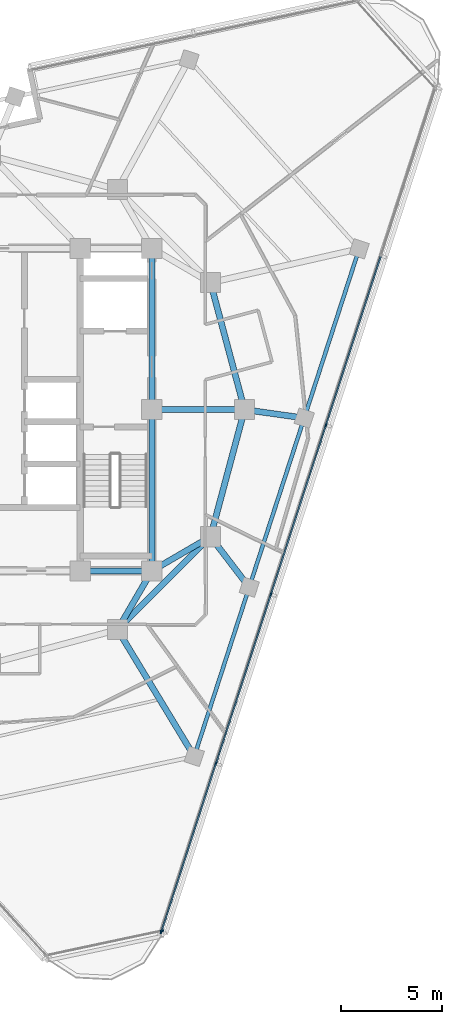
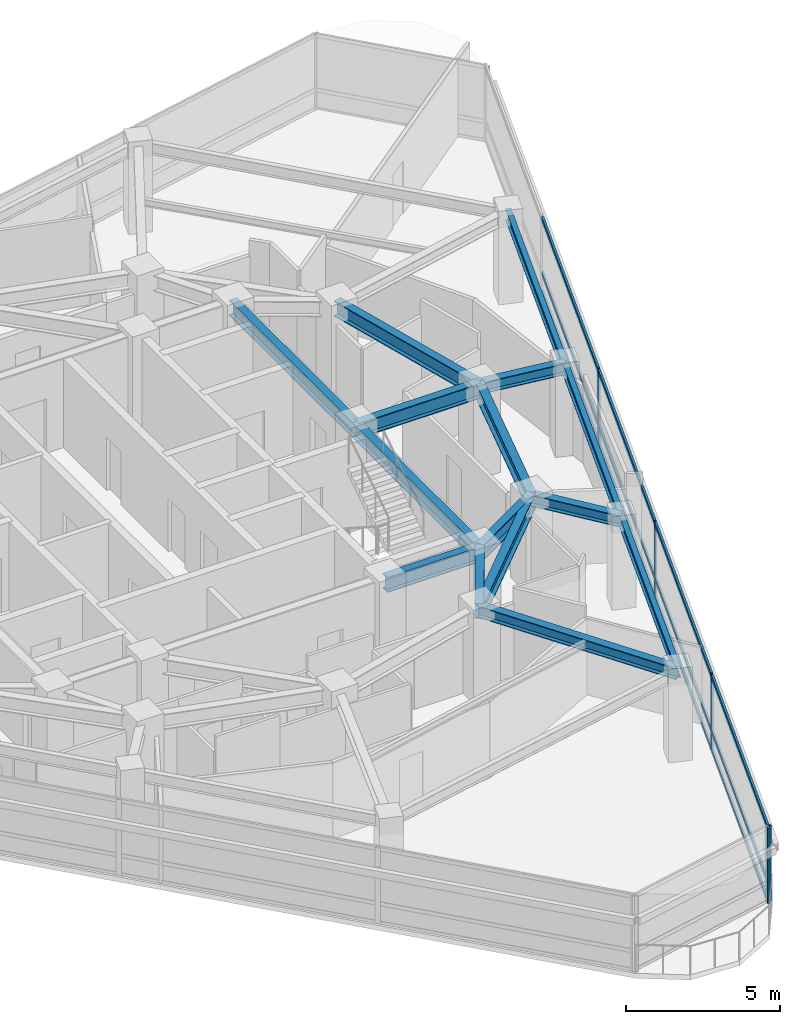
# One storey, part 4 of 15: 17 members, 15 beams, 2 elements without a shape of their own.
"""IFC4 building model written with IfcOpenShell, lengths in metres."""

import ifcopenshell
import ifcopenshell.guid

model = None  # the IFC model being written
_history = None  # IfcOwnerHistory: only IFC2X3 demands one
_inside = {}  # id of a spatial element -> (the spatial element, [elements in it])
_under = {}  # id of a project, library or spatial element -> (it, [spatial elements below it])
_declared = {}  # id of a project -> (the project, [libraries it declares])
_typed = {}  # id of a type object -> (the type object, [elements of that type])
_made_of = {}  # id of a material, layer set ... -> (it, [elements and type objects made of it])


def new_model(schema):
    """Start an empty IFC model of exactly this schema.

    Asked for "IFC4X3", IfcOpenShell would pick the latest addendum, in which some entities
    have other attributes; the version numbers below select the first issue.
    IFC2X3 requires an IfcOwnerHistory on every rooted entity: one is made here for all.
    """
    global model, _history
    if schema == "IFC4X3":
        model = ifcopenshell.file(schema_version=(4, 3, 0, 0))
    else:
        model = ifcopenshell.file(schema=schema)
    _inside.clear()
    _under.clear()
    _declared.clear()
    _typed.clear()
    _made_of.clear()
    _history = None
    if model.schema == "IFC2X3":
        org = make("IfcOrganization", Name="unknown")
        user = make(
            "IfcPersonAndOrganization",
            ThePerson=make("IfcPerson", FamilyName="unknown"),
            TheOrganization=org,
        )
        app = make(
            "IfcApplication",
            ApplicationDeveloper=org,
            Version="unknown",
            ApplicationFullName="unknown",
            ApplicationIdentifier="unknown",
        )
        _history = make(
            "IfcOwnerHistory",
            OwningUser=user,
            OwningApplication=app,
            ChangeAction="ADDED",
            CreationDate=0,
        )
    return model


def make(cls, **values):
    """One entity of the class cls with the attributes given. An attribute that is None is left unset."""
    return model.create_entity(
        cls, **{name: value for name, value in values.items() if value is not None}
    )


def rooted(cls, **values):
    """An entity with a GlobalId (a new one), such as an element, a storey or a relation."""
    return make(cls, GlobalId=ifcopenshell.guid.new(), OwnerHistory=_history, **values)


def si_unit(unit_type, name, prefix=None):
    """IfcSIUnit, for example si_unit("LENGTHUNIT", "METRE", prefix="MILLI")."""
    return make("IfcSIUnit", UnitType=unit_type, Prefix=prefix, Name=name)


def assignment(units):
    """IfcUnitAssignment: the units of a project."""
    return None if units is None else make("IfcUnitAssignment", Units=units)


def point(xyz):
    """IfcCartesianPoint."""
    return None if xyz is None else make("IfcCartesianPoint", Coordinates=xyz)


def direction(xyz):
    """IfcDirection."""
    return None if xyz is None else make("IfcDirection", DirectionRatios=xyz)


def frame(location, z_axis=None, x_axis=None):
    """IfcAxis2Placement3D, a coordinate frame: its origin and axes. An axis left out is left unset."""
    return make(
        "IfcAxis2Placement3D",
        Location=point(location),
        Axis=direction(z_axis),
        RefDirection=direction(x_axis),
    )


def frame_2d(location, x_axis=None):
    """IfcAxis2Placement2D, a coordinate frame in the plane: its origin and x axis."""
    return make(
        "IfcAxis2Placement2D", Location=point(location), RefDirection=direction(x_axis)
    )


def origin():
    """The frame at (0, 0, 0) with its axes left unset."""
    return frame((0.0, 0.0, 0.0))


def origin_2d():
    """The frame at (0, 0) in the plane with its x axis left unset."""
    return frame_2d((0.0, 0.0))


def place(relative_to, where):
    """IfcLocalPlacement: puts the frame where relative to a parent placement (None: the world)."""
    return make(
        "IfcLocalPlacement", PlacementRelTo=relative_to, RelativePlacement=where
    )


def context(
    kind, dimensions, precision=None, world=None, true_north=None, identifier=None
):
    """IfcGeometricRepresentationContext, for example the 3D "Model" context."""
    return make(
        "IfcGeometricRepresentationContext",
        ContextIdentifier=identifier,
        ContextType=kind,
        CoordinateSpaceDimension=dimensions,
        Precision=precision,
        WorldCoordinateSystem=world,
        TrueNorth=true_north,
    )


def subcontext(parent, identifier, kind, view, scale=None):
    """IfcGeometricRepresentationSubContext, for example "Body" below "Model"."""
    return make(
        "IfcGeometricRepresentationSubContext",
        ContextIdentifier=identifier,
        ContextType=kind,
        ParentContext=parent,
        TargetScale=scale,
        TargetView=view,
    )


def project(units=None, contexts=None):
    """IfcProject with its units and contexts."""
    return rooted(
        "IfcProject",
        Name="project",
        RepresentationContexts=contexts,
        UnitsInContext=assignment(units),
    )


def spatial(cls, under=None, at=None, **own):
    """A site, building, storey or space (cls), placed at a placement, below another one or the project."""
    s = rooted(cls, ObjectPlacement=at, **own)
    if under is not None:
        _under.setdefault(under.id(), (under, []))[1].append(s)
    return s


def profile(cls, at=None, kind="AREA", **sizes):
    """A parametric profile (cls). Its sizes go by their IFC names, for example OverallWidth=200.0."""
    return make(cls, ProfileType=kind, Position=at, **sizes)


def rectangle(**sizes):
    """IfcRectangleProfileDef."""
    return profile("IfcRectangleProfileDef", **sizes)


def i_section(**sizes):
    """IfcIShapeProfileDef."""
    return profile("IfcIShapeProfileDef", **sizes)


def extrude(swept, where, along, depth):
    """IfcExtrudedAreaSolid: the profile swept, set in the frame where, extruded along a direction by depth."""
    return make(
        "IfcExtrudedAreaSolid",
        SweptArea=swept,
        Position=where,
        ExtrudedDirection=direction(along),
        Depth=depth,
    )


def shape(context_of_items, identifier, shape_type, items):
    """IfcShapeRepresentation: the items that make up one representation, for example the "Body"."""
    return make(
        "IfcShapeRepresentation",
        ContextOfItems=context_of_items,
        RepresentationIdentifier=identifier,
        RepresentationType=shape_type,
        Items=items,
    )


def material(Name=None, Category=None):
    """IfcMaterial."""
    return make("IfcMaterial", Name=Name, Category=Category)


def layer(
    of_material, thickness, ventilated=None, Name=None, Category=None, Priority=None
):
    """IfcMaterialLayer: one layer of a wall or slab, of a material (None: an air gap)."""
    return make(
        "IfcMaterialLayer",
        Material=of_material,
        LayerThickness=thickness,
        IsVentilated=ventilated,
        Name=Name,
        Category=Category,
        Priority=Priority,
    )


def layer_set(layers, Name=None):
    """IfcMaterialLayerSet."""
    return make("IfcMaterialLayerSet", MaterialLayers=layers, LayerSetName=Name)


def material_profile(
    of_material, cross_section, Name=None, Category=None, Priority=None
):
    """IfcMaterialProfile: a cross section and its material."""
    return make(
        "IfcMaterialProfile",
        Name=Name,
        Material=of_material,
        Profile=cross_section,
        Priority=Priority,
        Category=Category,
    )


def profile_set(profiles, Name=None, composite=None):
    """IfcMaterialProfileSet."""
    return make(
        "IfcMaterialProfileSet",
        Name=Name,
        MaterialProfiles=profiles,
        CompositeProfile=composite,
    )


def made_of(thing, what):
    """Note that an element or type object is made of a material, layer set ...; save() writes the relation."""
    if what is not None:
        _made_of.setdefault(what.id(), (what, []))[1].append(thing)
    return thing


def type_object(cls, material=None, **own):
    """A type object (cls), such as IfcWallType, which elements share."""
    return made_of(rooted(cls, **own), material)


def element(
    cls,
    number,
    at=None,
    inside=None,
    cuts=None,
    type_object=None,
    material=None,
    context=None,
    identifier="Body",
    shape_type=None,
    held_by="IfcProductDefinitionShape",
    body=None,
    shapes=None,
    **own,
):
    """One element of the class cls, such as IfcWall. Its Tag is "e" and its number.

    at: its placement. inside: the storey or other place that contains it. cuts: it is an
    opening in that element (IfcRelVoidsElement). A single representation is given by context,
    identifier, shape_type and body (its items); several are given by shapes. held_by: the class
    of the entity that holds the representations. save() writes the other relations.
    """
    e = rooted(cls, Tag="e%d" % number, ObjectPlacement=at, **own)
    if body is not None:
        shapes = [shape(context, identifier, shape_type, body)]
    if shapes is not None:
        e.Representation = make(held_by, Representations=shapes)
    if inside is not None:
        _inside.setdefault(inside.id(), (inside, []))[1].append(e)
    if cuts is not None:
        rooted(
            "IfcRelVoidsElement", RelatingBuildingElement=cuts, RelatedOpeningElement=e
        )
    if type_object is not None:
        _typed.setdefault(type_object.id(), (type_object, []))[1].append(e)
    return made_of(e, material)


def aggregate(whole, parts):
    """IfcRelAggregates: a whole, such as a stair, and the parts it consists of."""
    return rooted("IfcRelAggregates", RelatingObject=whole, RelatedObjects=parts)


def save(model, path):
    """Write the relations noted so far, then the file.

    IfcRelAggregates (storeys below a building ...), IfcRelContainedInSpatialStructure (elements
    in a storey), IfcRelDefinesByType, IfcRelAssociatesMaterial and IfcRelDeclares: one each for
    every whole, place, type object, material and project.
    """
    for whole, parts in _under.values():
        aggregate(whole, parts)
    for where, things in _inside.values():
        rooted(
            "IfcRelContainedInSpatialStructure",
            RelatedElements=things,
            RelatingStructure=where,
        )
    for kind, things in _typed.values():
        rooted("IfcRelDefinesByType", RelatedObjects=things, RelatingType=kind)
    for what, things in _made_of.values():
        rooted("IfcRelAssociatesMaterial", RelatedObjects=things, RelatingMaterial=what)
    for by, libraries in _declared.values():
        rooted("IfcRelDeclares", RelatingContext=by, RelatedDefinitions=libraries)
    model.write(path)


model = new_model("IFC4")

# Units and contexts
model_context = context("Model", 3, precision=1e-05, world=origin(), true_north=direction((0.0, 1.0)))
body_context = subcontext(model_context, "Body", "Model", "MODEL_VIEW")
ifc_project = project(units=[si_unit("LENGTHUNIT", "METRE"), si_unit("AREAUNIT", "SQUARE_METRE"), si_unit("VOLUMEUNIT", "CUBIC_METRE"), si_unit("PLANEANGLEUNIT", "RADIAN"), si_unit("MASSUNIT", "GRAM", prefix="KILO")], contexts=[model_context])

# Site, building, storey
site_placement = place(None, origin())
site = spatial("IfcSite", under=ifc_project, at=site_placement, CompositionType="ELEMENT")
building_placement = place(site_placement, origin())
building = spatial("IfcBuilding", under=site, at=building_placement, Name="Terralouvre Media Tower", CompositionType="ELEMENT")
storey_placement = place(building_placement, frame((0.0, 0.0, 294.300048828125)))
storey = spatial("IfcBuildingStorey", under=building, at=storey_placement, Name="L76", CompositionType="ELEMENT", Elevation=294.300048828125)

# Curtain wall, members
ifc_material_1 = material(Name="Low-iron laminated double glazing with solar-control coating", Category="glass")
ifc_layer_1 = layer(ifc_material_1, 0.1650390625, Name="Faceted Glass-Point Crown Curtain Wall CW-06")
ifc_layer_set_1 = layer_set([ifc_layer_1], Name="Low-iron laminated double glazing with solar-control coating")
curtain_wall_type_1 = type_object("IfcCurtainWallType", Name="Faceted Glass-Point Crown Curtain Wall CW-06", PredefinedType="NOTDEFINED", material=ifc_layer_set_1)
curtain_wall_1_placement = place(storey_placement, origin())
curtain_wall_1 = element("IfcCurtainWall", 1, at=curtain_wall_1_placement, inside=storey, type_object=curtain_wall_type_1, Name="L76 Facade Curtain Wall F0", PredefinedType="NOTDEFINED")
ifc_material_2 = material(Name="Anodised extruded aluminium 6063-T6", Category="aluminium")
ifc_material_profile_1 = material_profile(ifc_material_2, rectangle(XDim=0.074951171875, YDim=0.14990234375, at=origin_2d()), Name="ALU 75x150")
ifc_profile_set_1 = profile_set([ifc_material_profile_1], Name="Anodised extruded aluminium 6063-T6")
member_type_1 = type_object("IfcMemberType", Name="Curtain-Wall Horizontal Transom TR-150", PredefinedType="USERDEFINED", material=ifc_profile_set_1)
member_1_placement = place(storey_placement, frame((8.476806640625, -25.87060546875, 0.037353515625), z_axis=(0.309004958377, 0.951060426944, 0.0), x_axis=(-0.951060426944, 0.309004958377, 0.0)))
member_1 = element("IfcMember", 2, at=member_1_placement, type_object=member_type_1, Name="CW-06 transom 1.1", ObjectType="TRANSOM", PredefinedType="USERDEFINED", context=body_context, shape_type="SweptSolid", body=[
    extrude(rectangle(XDim=0.074951171875, YDim=0.14990234375, at=origin_2d()), origin(), (0.0, 0.0, 1.0), 8.71142578125),
])
member_2_placement = place(storey_placement, frame((8.476806640625, -25.87060546875, 0.800048828125), z_axis=(0.309004958377, 0.951060426944, 0.0), x_axis=(-0.951060426944, 0.309004958377, 0.0)))
member_2 = element("IfcMember", 3, at=member_2_placement, type_object=member_type_1, Name="CW-06 transom 1.2", ObjectType="TRANSOM", PredefinedType="USERDEFINED", context=body_context, shape_type="SweptSolid", body=[
    extrude(rectangle(XDim=0.074951171875, YDim=0.14990234375, at=origin_2d()), origin(), (0.0, 0.0, 1.0), 8.71142578125),
])
member_3_placement = place(storey_placement, frame((8.476806640625, -25.87060546875, 2.96240234375), z_axis=(0.309004958377, 0.951060426944, 0.0), x_axis=(-0.951060426944, 0.309004958377, 0.0)))
member_3 = element("IfcMember", 4, at=member_3_placement, type_object=member_type_1, Name="CW-06 transom 1.3", ObjectType="TRANSOM", PredefinedType="USERDEFINED", context=body_context, shape_type="SweptSolid", body=[
    extrude(rectangle(XDim=0.074951171875, YDim=0.14990234375, at=origin_2d()), origin(), (0.0, 0.0, 1.0), 8.71142578125),
])
member_4_placement = place(storey_placement, frame((11.19189453125, -17.51416015625, 0.037353515625), z_axis=(0.309019188079, 0.951055803515, 0.0), x_axis=(-0.951055803515, 0.309019188079, 0.0)))
member_4 = element("IfcMember", 5, at=member_4_placement, type_object=member_type_1, Name="CW-06 transom 2.1", ObjectType="TRANSOM", PredefinedType="USERDEFINED", context=body_context, shape_type="SweptSolid", body=[
    extrude(rectangle(XDim=0.074951171875, YDim=0.14990234375, at=origin_2d()), origin(), (0.0, 0.0, 1.0), 8.7490234375),
])
member_5_placement = place(storey_placement, frame((11.19189453125, -17.51416015625, 0.800048828125), z_axis=(0.309019188079, 0.951055803515, 0.0), x_axis=(-0.951055803515, 0.309019188079, 0.0)))
member_5 = element("IfcMember", 6, at=member_5_placement, type_object=member_type_1, Name="CW-06 transom 2.2", ObjectType="TRANSOM", PredefinedType="USERDEFINED", context=body_context, shape_type="SweptSolid", body=[
    extrude(rectangle(XDim=0.074951171875, YDim=0.14990234375, at=origin_2d()), origin(), (0.0, 0.0, 1.0), 8.7490234375),
])
member_6_placement = place(storey_placement, frame((11.19189453125, -17.51416015625, 2.96240234375), z_axis=(0.309019188079, 0.951055803515, 0.0), x_axis=(-0.951055803515, 0.309019188079, 0.0)))
member_6 = element("IfcMember", 7, at=member_6_placement, type_object=member_type_1, Name="CW-06 transom 2.3", ObjectType="TRANSOM", PredefinedType="USERDEFINED", context=body_context, shape_type="SweptSolid", body=[
    extrude(rectangle(XDim=0.074951171875, YDim=0.14990234375, at=origin_2d()), origin(), (0.0, 0.0, 1.0), 8.7490234375),
])
member_7_placement = place(storey_placement, frame((13.918701171875, -9.1220703125, 0.037353515625), z_axis=(0.309019188079, 0.951055803515, 0.0), x_axis=(-0.951055803515, 0.309019188079, 0.0)))
member_7 = element("IfcMember", 8, at=member_7_placement, type_object=member_type_1, Name="CW-06 transom 3.1", ObjectType="TRANSOM", PredefinedType="USERDEFINED", context=body_context, shape_type="SweptSolid", body=[
    extrude(rectangle(XDim=0.074951171875, YDim=0.14990234375, at=origin_2d()), origin(), (0.0, 0.0, 1.0), 8.7490234375),
])
member_8_placement = place(storey_placement, frame((13.918701171875, -9.1220703125, 0.800048828125), z_axis=(0.309019188079, 0.951055803515, 0.0), x_axis=(-0.951055803515, 0.309019188079, 0.0)))
member_8 = element("IfcMember", 9, at=member_8_placement, type_object=member_type_1, Name="CW-06 transom 3.2", ObjectType="TRANSOM", PredefinedType="USERDEFINED", context=body_context, shape_type="SweptSolid", body=[
    extrude(rectangle(XDim=0.074951171875, YDim=0.14990234375, at=origin_2d()), origin(), (0.0, 0.0, 1.0), 8.7490234375),
])
member_9_placement = place(storey_placement, frame((13.918701171875, -9.1220703125, 2.96240234375), z_axis=(0.309019188079, 0.951055803515, 0.0), x_axis=(-0.951055803515, 0.309019188079, 0.0)))
member_9 = element("IfcMember", 10, at=member_9_placement, type_object=member_type_1, Name="CW-06 transom 3.3", ObjectType="TRANSOM", PredefinedType="USERDEFINED", context=body_context, shape_type="SweptSolid", body=[
    extrude(rectangle(XDim=0.074951171875, YDim=0.14990234375, at=origin_2d()), origin(), (0.0, 0.0, 1.0), 8.7490234375),
])
member_10_placement = place(storey_placement, frame((16.6455078125, -0.72998046875, 0.037353515625), z_axis=(0.309019188079, 0.951055803515, 0.0), x_axis=(-0.951055803515, 0.309019188079, 0.0)))
member_10 = element("IfcMember", 11, at=member_10_placement, type_object=member_type_1, Name="CW-06 transom 4.1", ObjectType="TRANSOM", PredefinedType="USERDEFINED", context=body_context, shape_type="SweptSolid", body=[
    extrude(rectangle(XDim=0.074951171875, YDim=0.14990234375, at=origin_2d()), origin(), (0.0, 0.0, 1.0), 8.7490234375),
])
member_11_placement = place(storey_placement, frame((16.6455078125, -0.72998046875, 0.800048828125), z_axis=(0.309019188079, 0.951055803515, 0.0), x_axis=(-0.951055803515, 0.309019188079, 0.0)))
member_11 = element("IfcMember", 12, at=member_11_placement, type_object=member_type_1, Name="CW-06 transom 4.2", ObjectType="TRANSOM", PredefinedType="USERDEFINED", context=body_context, shape_type="SweptSolid", body=[
    extrude(rectangle(XDim=0.074951171875, YDim=0.14990234375, at=origin_2d()), origin(), (0.0, 0.0, 1.0), 8.7490234375),
])
member_12_placement = place(storey_placement, frame((16.6455078125, -0.72998046875, 2.96240234375), z_axis=(0.309019188079, 0.951055803515, 0.0), x_axis=(-0.951055803515, 0.309019188079, 0.0)))
member_12 = element("IfcMember", 13, at=member_12_placement, type_object=member_type_1, Name="CW-06 transom 4.3", ObjectType="TRANSOM", PredefinedType="USERDEFINED", context=body_context, shape_type="SweptSolid", body=[
    extrude(rectangle(XDim=0.074951171875, YDim=0.14990234375, at=origin_2d()), origin(), (0.0, 0.0, 1.0), 8.7490234375),
])
ifc_material_3 = material(Name="Anodised extruded aluminium 6063-T6", Category="aluminium")
ifc_material_profile_2 = material_profile(ifc_material_3, rectangle(XDim=0.074951171875, YDim=0.179931640625, at=origin_2d()), Name="ALU 75x180")
ifc_profile_set_2 = profile_set([ifc_material_profile_2], Name="Anodised extruded aluminium 6063-T6")
member_type_2 = type_object("IfcMemberType", Name="Curtain-Wall Vertical Mullion ML-180", PredefinedType="MULLION", material=ifc_profile_set_2)
member_13_placement = place(storey_placement, frame((8.465087890625, -25.90625, 0.0), z_axis=(0.0, 0.0, 1.0), x_axis=(-0.951056507337, 0.309017021946, 0.0)))
member_13 = element("IfcMember", 14, at=member_13_placement, type_object=member_type_2, Name="CW-06 mullion 1", PredefinedType="MULLION", context=body_context, shape_type="SweptSolid", body=[
    extrude(rectangle(XDim=0.074951171875, YDim=0.179931640625, at=origin_2d()), origin(), (0.0, 0.0, 1.0), 3.0),
])
member_14_placement = place(storey_placement, frame((11.180419921875, -17.5498046875, 0.0), z_axis=(0.0, 0.0, 1.0), x_axis=(-0.951056507337, 0.309017021946, 0.0)))
member_14 = element("IfcMember", 15, at=member_14_placement, type_object=member_type_2, Name="CW-06 mullion 2", PredefinedType="MULLION", context=body_context, shape_type="SweptSolid", body=[
    extrude(rectangle(XDim=0.074951171875, YDim=0.179931640625, at=origin_2d()), origin(), (0.0, 0.0, 1.0), 3.0),
])
member_15_placement = place(storey_placement, frame((13.9072265625, -9.15771484375, 0.0), z_axis=(0.0, 0.0, 1.0), x_axis=(-0.951056507337, 0.309017021946, 0.0)))
member_15 = element("IfcMember", 16, at=member_15_placement, type_object=member_type_2, Name="CW-06 mullion 3", PredefinedType="MULLION", context=body_context, shape_type="SweptSolid", body=[
    extrude(rectangle(XDim=0.074951171875, YDim=0.179931640625, at=origin_2d()), origin(), (0.0, 0.0, 1.0), 3.0),
])
member_16_placement = place(storey_placement, frame((16.6337890625, -0.765625, 0.0), z_axis=(0.0, 0.0, 1.0), x_axis=(-0.951056507337, 0.309017021946, 0.0)))
member_16 = element("IfcMember", 17, at=member_16_placement, type_object=member_type_2, Name="CW-06 mullion 4", PredefinedType="MULLION", context=body_context, shape_type="SweptSolid", body=[
    extrude(rectangle(XDim=0.074951171875, YDim=0.179931640625, at=origin_2d()), origin(), (0.0, 0.0, 1.0), 3.0),
])
aggregate(curtain_wall_1, [member_13, member_14, member_15, member_16, member_1, member_2, member_3, member_4, member_5, member_6, member_7, member_8, member_9, member_10, member_11, member_12])

# Curtain wall, member
ifc_material_4 = material(Name="Low-iron laminated double glazing with solar-control coating", Category="glass")
ifc_layer_2 = layer(ifc_material_4, 0.1650390625, Name="Rounded Wind-Corner Curved Glazing CW-04")
ifc_layer_set_2 = layer_set([ifc_layer_2], Name="Low-iron laminated double glazing with solar-control coating")
curtain_wall_type_2 = type_object("IfcCurtainWallType", Name="Rounded Wind-Corner Curved Glazing CW-04", PredefinedType="NOTDEFINED", material=ifc_layer_set_2)
curtain_wall_2_placement = place(storey_placement, origin())
curtain_wall_2 = element("IfcCurtainWall", 18, at=curtain_wall_2_placement, inside=storey, type_object=curtain_wall_type_2, Name="L76 Rounded Wind-Corner Curtain Wall C0", PredefinedType="NOTDEFINED")
member_17_placement = place(storey_placement, frame((8.501953125, -25.849853515625, 0.0), z_axis=(0.0, 0.0, 1.0), x_axis=(-0.207911647592, 0.978147609922, 0.0)))
member_17 = element("IfcMember", 19, at=member_17_placement, type_object=member_type_2, Name="CW-04 mullion 2", PredefinedType="MULLION", context=body_context, shape_type="SweptSolid", body=[
    extrude(rectangle(XDim=0.074951171875, YDim=0.179931640625, at=origin_2d()), origin(), (0.0, 0.0, 1.0), 3.0),
])
aggregate(curtain_wall_2, [member_17])

# Beams
ifc_material_5 = material(Name="Structural steel S355J2", Category="steel")
ifc_material_profile_3 = material_profile(ifc_material_5, i_section(OverallWidth=0.18994140625, OverallDepth=0.449951171875, WebThickness=0.009521484375, FlangeThickness=0.0146484375, at=origin_2d()), Name="IPE 450")
ifc_profile_set_3 = profile_set([ifc_material_profile_3], Name="Structural steel S355J2")
beam_type_1 = type_object("IfcBeamType", Name="Perimeter Spandrel Beam SPB-450 (IPE 450)", PredefinedType="SPANDREL", material=ifc_profile_set_3)
for number, where, z_axis, x_axis, name in (
    (20, (10.105712890625, -17.20068359375, 3.27490234375), (0.309022258842, 0.95105480575, 0.0), (-0.95105480575, 0.309022258842, 0.0), "L76 Framing Beam BM-L76-PR05"),
    (21, (12.83251953125, -8.80859375, 3.27490234375), (0.308997232802, 0.951062936992, 0.0), (-0.951062936992, 0.308997232802, 0.0), "L76 Framing Beam BM-L76-PR06"),
):
    element("IfcBeam", number, at=place(storey_placement, frame(where, z_axis=z_axis, x_axis=x_axis)), inside=storey, type_object=beam_type_1, Name=name, PredefinedType="SPANDREL", context=body_context, shape_type="SweptSolid", body=[
        extrude(i_section(OverallWidth=0.18994140625, OverallDepth=0.449951171875, WebThickness=0.009521484375, FlangeThickness=0.0146484375, at=origin_2d()), origin(), (0.0, 0.0, 1.0), 8.823974609375),
    ])
beam_1_placement = place(storey_placement, frame((15.55908203125, -0.41650390625, 3.27490234375), z_axis=(0.309014127542, 0.951057447781, 0.0), x_axis=(-0.951057447781, 0.309014127542, 0.0)))
element("IfcBeam", 22, at=beam_1_placement, inside=storey, type_object=beam_type_1, Name="L76 Framing Beam BM-L76-PR07", PredefinedType="SPANDREL", context=body_context, shape_type="SweptSolid", body=[
    extrude(i_section(OverallWidth=0.18994140625, OverallDepth=0.449951171875, WebThickness=0.009521484375, FlangeThickness=0.0146484375, at=origin_2d()), origin(), (0.0, 0.0, 1.0), 8.82421875),
])
ifc_material_6 = material(Name="Structural steel S355J2", Category="steel")
ifc_material_profile_4 = material_profile(ifc_material_6, i_section(OverallWidth=0.300048828125, OverallDepth=0.449951171875, WebThickness=0.013916015625, FlangeThickness=0.02587890625, at=origin_2d()), Name="HEB 450")
ifc_profile_set_4 = profile_set([ifc_material_profile_4], Name="Structural steel S355J2")
beam_type_2 = type_object("IfcBeamType", Name="Primary Floor Girder B-HEB450 (HEB 450)", PredefinedType="BEAM", material=ifc_profile_set_4)
beam_2_placement = place(storey_placement, frame((6.300048828125, -10.911865234375, 3.27490234375), z_axis=(0.517730392552, -0.855543827415, 0.0), x_axis=(0.855543827415, 0.517730392552, 0.0)))
element("IfcBeam", 23, at=beam_2_placement, inside=storey, type_object=beam_type_2, Name="L76 Framing Beam BM-L76-RD05", PredefinedType="BEAM", context=body_context, shape_type="SweptSolid", body=[
    extrude(i_section(OverallWidth=0.300048828125, OverallDepth=0.449951171875, WebThickness=0.013916015625, FlangeThickness=0.02587890625, at=origin_2d()), origin(), (0.0, 0.0, 1.0), 7.3505859375),
])
beam_3_placement = place(storey_placement, frame((10.911865234375, -6.300048828125, 3.27490234375), z_axis=(0.607920398404, -0.793997978086, 0.0), x_axis=(0.793997978086, 0.607920398404, 0.0)))
element("IfcBeam", 24, at=beam_3_placement, inside=storey, type_object=beam_type_2, Name="L76 Framing Beam BM-L76-RD06", PredefinedType="BEAM", context=body_context, shape_type="SweptSolid", body=[
    extrude(i_section(OverallWidth=0.300048828125, OverallDepth=0.449951171875, WebThickness=0.013916015625, FlangeThickness=0.02587890625, at=origin_2d()), origin(), (0.0, 0.0, 1.0), 3.159423828125),
])
beam_4_placement = place(storey_placement, frame((12.60009765625, 0.0, 3.27490234375), z_axis=(0.990238261961, -0.139385022682, 0.0), x_axis=(0.139385022682, 0.990238261961, 0.0)))
element("IfcBeam", 25, at=beam_4_placement, inside=storey, type_object=beam_type_2, Name="L76 Framing Beam BM-L76-RD07", PredefinedType="BEAM", context=body_context, shape_type="SweptSolid", body=[
    extrude(i_section(OverallWidth=0.300048828125, OverallDepth=0.449951171875, WebThickness=0.013916015625, FlangeThickness=0.02587890625, at=origin_2d()), origin(), (0.0, 0.0, 1.0), 2.988037109375),
])
ifc_material_7 = material(Name="Structural steel S460M", Category="steel")
ifc_material_profile_5 = material_profile(ifc_material_7, i_section(OverallWidth=0.300048828125, OverallDepth=0.60009765625, WebThickness=0.015380859375, FlangeThickness=0.030029296875, at=origin_2d()), Name="HEB 600")
ifc_profile_set_5 = profile_set([ifc_material_profile_5], Name="Structural steel S460M")
beam_type_3 = type_object("IfcBeamType", Name="Primary Floor Girder B-HEB600 (HEB 600)", PredefinedType="BEAM", material=ifc_profile_set_5)
beam_5_placement = place(storey_placement, frame((4.449951171875, -8.0, 3.199951171875), z_axis=(1.0, 0.0, 0.0), x_axis=(0.0, 1.0, 0.0)))
element("IfcBeam", 26, at=beam_5_placement, inside=storey, type_object=beam_type_3, Name="L76 Framing Beam BM-L76-CPR03", PredefinedType="BEAM", context=body_context, shape_type="SweptSolid", body=[
    extrude(i_section(OverallWidth=0.300048828125, OverallDepth=0.60009765625, WebThickness=0.015380859375, FlangeThickness=0.030029296875, at=origin_2d()), origin(), (0.0, 0.0, 1.0), 3.550048828125),
])
for number, where, z_axis, x_axis, name in (
    (27, (8.0, -8.0, 3.199951171875), (0.0, 1.0, 0.0), (-1.0, 0.0, 0.0), "L76 Framing Beam BM-L76-CPR04"),
    (28, (8.0, 0.0, 3.199951171875), (0.0, 1.0, 0.0), (-1.0, 0.0, 0.0), "L76 Framing Beam BM-L76-CPR05"),
):
    element("IfcBeam", number, at=place(storey_placement, frame(where, z_axis=z_axis, x_axis=x_axis)), inside=storey, type_object=beam_type_3, Name=name, PredefinedType="BEAM", context=body_context, shape_type="SweptSolid", body=[
        extrude(i_section(OverallWidth=0.300048828125, OverallDepth=0.60009765625, WebThickness=0.015380859375, FlangeThickness=0.030029296875, at=origin_2d()), origin(), (0.0, 0.0, 1.0), 8.0),
    ])
beam_6_placement = place(storey_placement, frame((6.300048828125, -10.911865234375, 3.199951171875), z_axis=(0.707106781187, 0.707106781187, 0.0), x_axis=(-0.707106781187, 0.707106781187, 0.0)))
element("IfcBeam", 29, at=beam_6_placement, inside=storey, type_object=beam_type_3, Name="L76 Framing Beam BM-L76-MR04", PredefinedType="BEAM", context=body_context, shape_type="SweptSolid", body=[
    extrude(i_section(OverallWidth=0.300048828125, OverallDepth=0.60009765625, WebThickness=0.015380859375, FlangeThickness=0.030029296875, at=origin_2d()), origin(), (0.0, 0.0, 1.0), 6.52197265625),
])
for number, where, z_axis, x_axis, name in (
    (30, (10.911865234375, -6.300048828125, 3.199951171875), (0.258838989821, 0.965920481897, 0.0), (-0.965920481897, 0.258838989821, 0.0), "L76 Framing Beam BM-L76-MR05"),
    (31, (12.60009765625, 0.0, 3.199951171875), (-0.258838989821, 0.965920481897, 0.0), (-0.965920481897, -0.258838989821, 0.0), "L76 Framing Beam BM-L76-MR06"),
):
    element("IfcBeam", number, at=place(storey_placement, frame(where, z_axis=z_axis, x_axis=x_axis)), inside=storey, type_object=beam_type_3, Name=name, PredefinedType="BEAM", context=body_context, shape_type="SweptSolid", body=[
        extrude(i_section(OverallWidth=0.300048828125, OverallDepth=0.60009765625, WebThickness=0.015380859375, FlangeThickness=0.030029296875, at=origin_2d()), origin(), (0.0, 0.0, 1.0), 6.522216796875),
    ])
for number, where, z_axis, x_axis, name in (
    (32, (8.0, -8.0, 3.199951171875), (-0.504172629717, -0.863602894532, 0.0), (0.863602894532, -0.504172629717, 0.0), "L76 Framing Beam BM-L76-CM04"),
    (33, (8.0, -8.0, 3.199951171875), (0.863602894532, 0.504172629717, 0.0), (-0.504172629717, 0.863602894532, 0.0), "L76 Framing Beam BM-L76-CM05"),
):
    element("IfcBeam", number, at=place(storey_placement, frame(where, z_axis=z_axis, x_axis=x_axis)), inside=storey, type_object=beam_type_3, Name=name, PredefinedType="BEAM", context=body_context, shape_type="SweptSolid", body=[
        extrude(i_section(OverallWidth=0.300048828125, OverallDepth=0.60009765625, WebThickness=0.015380859375, FlangeThickness=0.030029296875, at=origin_2d()), origin(), (0.0, 0.0, 1.0), 3.371826171875),
    ])
beam_7_placement = place(storey_placement, frame((8.0, 0.0, 3.199951171875), z_axis=(1.0, 0.0, 0.0), x_axis=(0.0, 1.0, 0.0)))
element("IfcBeam", 34, at=beam_7_placement, inside=storey, type_object=beam_type_3, Name="L76 Framing Beam BM-L76-CM06", PredefinedType="BEAM", context=body_context, shape_type="SweptSolid", body=[
    extrude(i_section(OverallWidth=0.300048828125, OverallDepth=0.60009765625, WebThickness=0.015380859375, FlangeThickness=0.030029296875, at=origin_2d()), origin(), (0.0, 0.0, 1.0), 4.60009765625),
])

save(model, "model.ifc")
